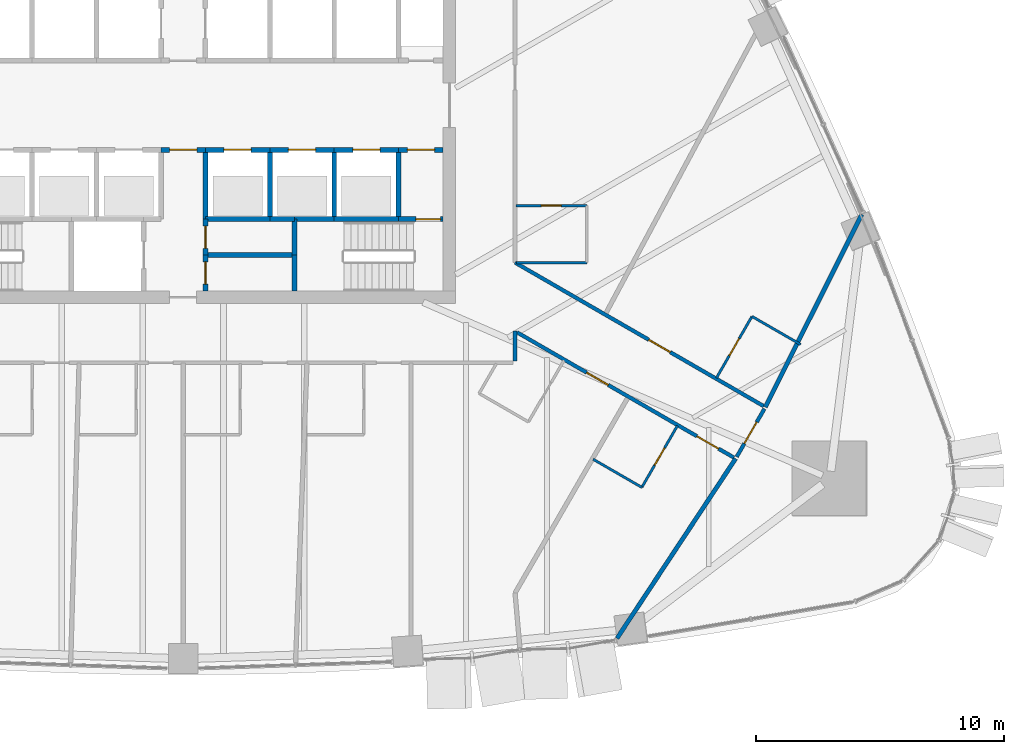
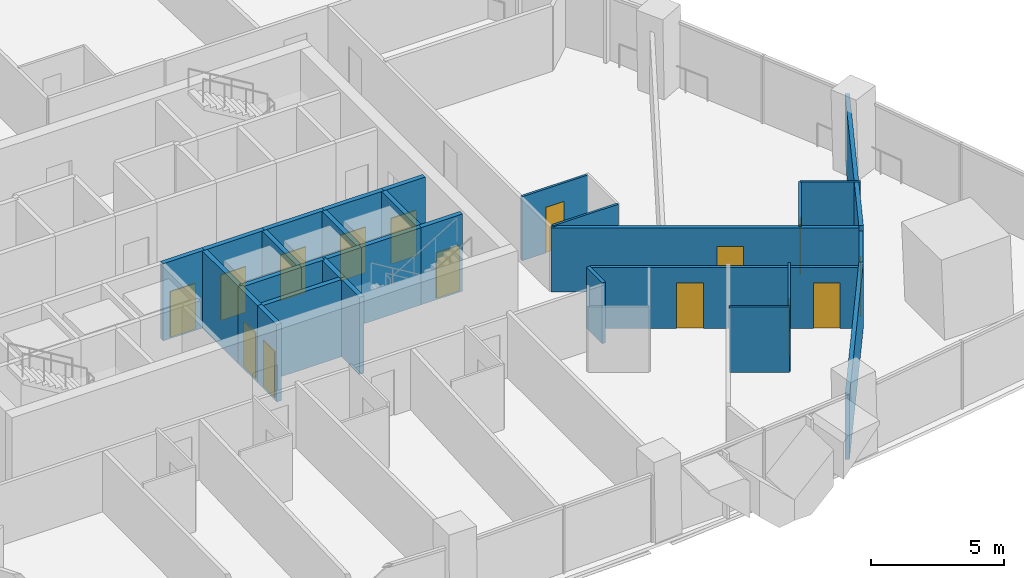
# One storey, part 12 of 18: 31 walls, 15 doors, 15 openings.
"""IFC4 building model written with IfcOpenShell, lengths in metres."""

from ifc_helpers import new_model, si_unit, direction, frame, frame_2d, origin, place, context, subcontext, project, spatial, rectangle, extrude, material, layer, layer_set, type_object, element, fill, save


model = new_model("IFC4")

# Units and contexts
model_context = context("Model", 3, precision=1e-05, world=origin(), true_north=direction((0.0, 1.0)))
body_context = subcontext(model_context, "Body", "Model", "MODEL_VIEW")
ifc_project = project(units=[si_unit("LENGTHUNIT", "METRE"), si_unit("AREAUNIT", "SQUARE_METRE"), si_unit("VOLUMEUNIT", "CUBIC_METRE"), si_unit("PLANEANGLEUNIT", "RADIAN"), si_unit("MASSUNIT", "GRAM", prefix="KILO")], contexts=[model_context])

# Site, building, storey
site_placement = place(None, origin())
site = spatial("IfcSite", under=ifc_project, at=site_placement, CompositionType="ELEMENT")
building_placement = place(site_placement, origin())
building = spatial("IfcBuilding", under=site, at=building_placement, Name="Sierra Prisma Convention Tower", CompositionType="ELEMENT")
storey_placement = place(building_placement, frame((0.0, 0.0, 85.0)))
storey = spatial("IfcBuildingStorey", under=building, at=storey_placement, Name="L17", CompositionType="ELEMENT", Elevation=85.0)

# Wall, opening, door
ifc_material_1 = material(Name="Gypsum board partition", Category="gypsum")
ifc_layer_1 = layer(ifc_material_1, 0.10009765625)
ifc_layer_set_1 = layer_set([ifc_layer_1], Name="Bathroom partition 100")
wall_type_1 = type_object("IfcWallType", Name="Bathroom partition 100", PredefinedType="PARTITIONING", material=ifc_layer_set_1)
wall_1_placement = place(storey_placement, frame((13.429931640625, -4.05078125, 0.0), z_axis=(0.0, 0.0, 1.0), x_axis=(1.0, 0.0, 0.0)))
wall_1 = element("IfcWall", 1, at=wall_1_placement, inside=storey, type_object=wall_type_1, Name="Partition L17 bath 24", PredefinedType="PARTITIONING", context=body_context, shape_type="SweptSolid", body=[
    extrude(rectangle(XDim=2.8701171875, YDim=0.10009765625, at=frame_2d((1.43505859375, 0.0))), origin(), (0.0, 0.0, 1.0), 2.947021484375),
])
opening_1_placement = place(wall_1_placement, frame((1.034912109375, 0.0, 0.0)))
opening_1 = element("IfcOpeningElement", 2, at=opening_1_placement, cuts=wall_1, Name="Opening L17-D001", PredefinedType="OPENING", context=body_context, shape_type="SweptSolid", body=[
    extrude(rectangle(XDim=0.800048828125, YDim=2.10009765625, at=frame_2d((0.39990234375, 1.050048828125))), frame((0.0, 0.050048828125, 0.0), z_axis=(0.0, -1.0, 0.0), x_axis=(1.0, 0.0, 0.0)), (0.0, 0.0, 1.0), 0.10009765625),
])
ifc_material_2 = material(Name="Solid core timber door leaf", Category="wood")
door_type_1 = type_object("IfcDoorType", Name="Door 800x2100 plain", OperationType="SINGLE_SWING_LEFT", PredefinedType="DOOR", material=ifc_material_2)
door_1_placement = place(opening_1_placement, origin())
door_1 = element("IfcDoor", 3, at=door_1_placement, inside=storey, type_object=door_type_1, Name="Door L17 2", OperationType="SINGLE_SWING_RIGHT", OverallHeight=2.10009765625, OverallWidth=0.800048828125, PredefinedType="DOOR", context=body_context, shape_type="SweptSolid", body=[
    extrude(rectangle(XDim=0.800048828125, YDim=2.10009765625, at=frame_2d((0.39990234375, 1.050048828125))), frame((0.0, 0.02490234375, 0.0), z_axis=(0.0, -1.0, 0.0), x_axis=(1.0, 0.0, 0.0)), (0.0, 0.0, 1.0), 0.050048828125),
])
fill(opening_1, door_1)

# Wall
wall_2_placement = place(storey_placement, frame((16.300048828125, -6.350830078125, 0.0), z_axis=(0.0, 0.0, 1.0), x_axis=(-1.0, 0.0, 0.0)))
element("IfcWall", 4, at=wall_2_placement, inside=storey, type_object=wall_type_1, Name="Partition L17 bath 26", PredefinedType="PARTITIONING", context=body_context, shape_type="SweptSolid", body=[
    extrude(rectangle(XDim=2.840087890625, YDim=0.10009765625, at=frame_2d((1.419921875, 0.0))), origin(), (0.0, 0.0, 1.0), 3.0),
])

# Wall, opening, door
wall_3_placement = place(storey_placement, frame((19.953125, -12.940185546875, 0.0), z_axis=(0.0, 0.0, 1.0), x_axis=(-0.499936001555, -0.866062350151, 0.0)))
wall_3 = element("IfcWall", 5, at=wall_3_placement, inside=storey, type_object=wall_type_1, Name="Partition L17 bath 27", PredefinedType="PARTITIONING", context=body_context, shape_type="SweptSolid", body=[
    extrude(rectangle(XDim=2.8701171875, YDim=0.10009765625, at=frame_2d((1.43505859375, 0.0))), origin(), (0.0, 0.0, 1.0), 3.0),
])
opening_2_placement = place(wall_3_placement, frame((1.034912109375, 0.0, 0.0)))
opening_2 = element("IfcOpeningElement", 6, at=opening_2_placement, cuts=wall_3, Name="Opening L17-D013", PredefinedType="OPENING", context=body_context, shape_type="SweptSolid", body=[
    extrude(rectangle(XDim=0.800048828125, YDim=2.10009765625, at=frame_2d((0.39990234375, 1.050048828125))), frame((0.0, 0.050048828125, 0.0), z_axis=(0.0, -1.0, 0.0), x_axis=(1.0, 0.0, 0.0)), (0.0, 0.0, 1.0), 0.10009765625),
])
door_2_placement = place(opening_2_placement, origin())
door_2 = element("IfcDoor", 7, at=door_2_placement, inside=storey, type_object=door_type_1, Name="Door L17 32", OperationType="SINGLE_SWING_RIGHT", OverallHeight=2.10009765625, OverallWidth=0.800048828125, PredefinedType="DOOR", context=body_context, shape_type="SweptSolid", body=[
    extrude(rectangle(XDim=0.800048828125, YDim=2.10009765625, at=frame_2d((0.39990234375, 1.050048828125))), frame((0.0, 0.02490234375, 0.0), z_axis=(0.0, -1.0, 0.0), x_axis=(1.0, 0.0, 0.0)), (0.0, 0.0, 1.0), 0.050048828125),
])
fill(opening_2, door_2)

# Wall
wall_4_placement = place(storey_placement, frame((18.518310546875, -15.42578125, 0.0), z_axis=(0.0, 0.0, 1.0), x_axis=(-0.866044110172, 0.499967598186, 0.0)))
element("IfcWall", 8, at=wall_4_placement, inside=storey, type_object=wall_type_1, Name="Partition L17 bath 28", PredefinedType="PARTITIONING", context=body_context, shape_type="SweptSolid", body=[
    extrude(rectangle(XDim=2.270263671875, YDim=0.10009765625, at=frame_2d((1.13525390625, 0.0))), origin(), (0.0, 0.0, 1.0), 3.0),
])

# Wall, opening, door
wall_5_placement = place(storey_placement, frame((21.529541015625, -11.009765625, 0.0), z_axis=(0.0, 0.0, 1.0), x_axis=(0.500036638401, 0.866004249561, 0.0)))
wall_5 = element("IfcWall", 9, at=wall_5_placement, inside=storey, type_object=wall_type_1, Name="Partition L17 bath 29", PredefinedType="PARTITIONING", context=body_context, shape_type="SweptSolid", body=[
    extrude(rectangle(XDim=2.869873046875, YDim=0.10009765625, at=frame_2d((1.43505859375, 0.0))), origin(), (0.0, 0.0, 1.0), 3.0),
])
opening_3_placement = place(wall_5_placement, frame((1.034912109375, 0.0, 0.0)))
opening_3 = element("IfcOpeningElement", 10, at=opening_3_placement, cuts=wall_5, Name="Opening L17-D014", PredefinedType="OPENING", context=body_context, shape_type="SweptSolid", body=[
    extrude(rectangle(XDim=0.800048828125, YDim=2.10009765625, at=frame_2d((0.39990234375, 1.050048828125))), frame((0.0, 0.050048828125, 0.0), z_axis=(0.0, -1.0, 0.0), x_axis=(1.0, 0.0, 0.0)), (0.0, 0.0, 1.0), 0.10009765625),
])
door_3_placement = place(opening_3_placement, origin())
door_3 = element("IfcDoor", 11, at=door_3_placement, inside=storey, type_object=door_type_1, Name="Door L17 35", OperationType="SINGLE_SWING_RIGHT", OverallHeight=2.10009765625, OverallWidth=0.800048828125, PredefinedType="DOOR", context=body_context, shape_type="SweptSolid", body=[
    extrude(rectangle(XDim=0.800048828125, YDim=2.10009765625, at=frame_2d((0.39990234375, 1.050048828125))), frame((0.0, 0.02490234375, 0.0), z_axis=(0.0, -1.0, 0.0), x_axis=(1.0, 0.0, 0.0)), (0.0, 0.0, 1.0), 0.050048828125),
])
fill(opening_3, door_3)

# Wall
wall_6_placement = place(storey_placement, frame((22.964599609375, -8.5244140625, 0.0), z_axis=(0.0, 0.0, 1.0), x_axis=(0.866063795608, -0.499933497514, 0.0)))
element("IfcWall", 12, at=wall_6_placement, inside=storey, type_object=wall_type_1, Name="Partition L17 bath 30", PredefinedType="PARTITIONING", context=body_context, shape_type="SweptSolid", body=[
    extrude(rectangle(XDim=2.269775390625, YDim=0.10009765625, at=frame_2d((1.134765625, 0.0))), origin(), (0.0, 0.0, 1.0), 3.0),
])

# Wall, opening, door
ifc_material_3 = material(Name="Concrete C30/37", Category="concrete")
ifc_layer_2 = layer(ifc_material_3, 0.199951171875)
ifc_layer_set_2 = layer_set([ifc_layer_2], Name="Core wall RC 200 C30/37")
wall_type_2 = type_object("IfcWallType", Name="Core wall RC 200 C30/37", PredefinedType="SOLIDWALL", material=ifc_layer_set_2)
wall_7_placement = place(storey_placement, frame((-0.89990234375, -1.800048828125, 0.0), z_axis=(0.0, 0.0, 1.0), x_axis=(1.0, 0.0, 0.0)))
wall_7 = element("IfcWall", 13, at=wall_7_placement, inside=storey, type_object=wall_type_2, Name="Core wall L17 32", PredefinedType="SOLIDWALL", context=body_context, shape_type="SweptSolid", body=[
    extrude(rectangle(XDim=1.7998046875, YDim=0.199951171875, at=frame_2d((0.89990234375, 0.0))), origin(), (0.0, 0.0, 1.0), 3.550048828125),
])
opening_4_placement = place(wall_7_placement, frame((0.35009765625, 0.0, 0.0)))
opening_4 = element("IfcOpeningElement", 14, at=opening_4_placement, cuts=wall_7, Name="Opening L17-D027", PredefinedType="OPENING", context=body_context, shape_type="SweptSolid", body=[
    extrude(rectangle(XDim=1.10009765625, YDim=2.10009765625, at=frame_2d((0.550048828125, 1.050048828125))), frame((0.0, 0.10009765625, 0.0), z_axis=(0.0, -1.0, 0.0), x_axis=(1.0, 0.0, 0.0)), (0.0, 0.0, 1.0), 0.199951171875),
])
ifc_material_4 = material(Name="Steel fire door leaf", Category="steel")
door_type_2 = type_object("IfcDoorType", Name="Door 1100x2100 FD30S", OperationType="SINGLE_SWING_LEFT", PredefinedType="DOOR", material=ifc_material_4)
door_4_placement = place(opening_4_placement, origin())
door_4 = element("IfcDoor", 15, at=door_4_placement, inside=storey, type_object=door_type_2, Name="Door L17 48", OperationType="SINGLE_SWING_RIGHT", OverallHeight=2.10009765625, OverallWidth=1.10009765625, PredefinedType="DOOR", context=body_context, shape_type="SweptSolid", body=[
    extrude(rectangle(XDim=1.10009765625, YDim=2.10009765625, at=frame_2d((0.550048828125, 1.050048828125))), frame((0.0, 0.02490234375, 0.0), z_axis=(0.0, -1.0, 0.0), x_axis=(1.0, 0.0, 0.0)), (0.0, 0.0, 1.0), 0.050048828125),
])
fill(opening_4, door_4)

wall_8_placement = place(storey_placement, frame((0.89990234375, -6.050048828125, 0.0), z_axis=(0.0, 0.0, 1.0), x_axis=(0.0, -1.0, 0.0)))
wall_8 = element("IfcWall", 16, at=wall_8_placement, inside=storey, type_object=wall_type_2, Name="Core wall L17 34", PredefinedType="SOLIDWALL", context=body_context, shape_type="SweptSolid", body=[
    extrude(rectangle(XDim=1.449951171875, YDim=0.199951171875, at=frame_2d((0.72509765625, 0.0))), origin(), (0.0, 0.0, 1.0), 3.550048828125),
])
opening_5_placement = place(wall_8_placement, frame((0.27490234375, 0.0, 0.0)))
opening_5 = element("IfcOpeningElement", 17, at=opening_5_placement, cuts=wall_8, Name="Opening L17-D034", PredefinedType="OPENING", context=body_context, shape_type="SweptSolid", body=[
    extrude(rectangle(XDim=0.89990234375, YDim=2.10009765625, at=frame_2d((0.449951171875, 1.050048828125))), frame((0.0, 0.10009765625, 0.0), z_axis=(0.0, -1.0, 0.0), x_axis=(1.0, 0.0, 0.0)), (0.0, 0.0, 1.0), 0.199951171875),
])
ifc_material_5 = material(Name="Steel fire door leaf", Category="steel")
door_type_3 = type_object("IfcDoorType", Name="Door 900x2100 FD30S", OperationType="SINGLE_SWING_LEFT", PredefinedType="DOOR", material=ifc_material_5)
door_5_placement = place(opening_5_placement, origin())
door_5 = element("IfcDoor", 18, at=door_5_placement, inside=storey, type_object=door_type_3, Name="Door L17 55", OperationType="SINGLE_SWING_LEFT", OverallHeight=2.10009765625, OverallWidth=0.89990234375, PredefinedType="DOOR", context=body_context, shape_type="SweptSolid", body=[
    extrude(rectangle(XDim=0.89990234375, YDim=2.10009765625, at=frame_2d((0.449951171875, 1.050048828125))), frame((0.0, 0.02490234375, 0.0), z_axis=(0.0, -1.0, 0.0), x_axis=(1.0, 0.0, 0.0)), (0.0, 0.0, 1.0), 0.050048828125),
])
fill(opening_5, door_5)

# Wall
wall_9_placement = place(storey_placement, frame((4.5, -6.050048828125, 0.0), z_axis=(0.0, 0.0, 1.0), x_axis=(-1.0, 0.0, 0.0)))
element("IfcWall", 19, at=wall_9_placement, inside=storey, type_object=wall_type_2, Name="Core wall L17 35", PredefinedType="SOLIDWALL", context=body_context, shape_type="SweptSolid", body=[
    extrude(rectangle(XDim=3.60009765625, YDim=0.199951171875, at=frame_2d((1.800048828125, 0.0))), origin(), (0.0, 0.0, 1.0), 3.550048828125),
])

# Wall, opening, door
wall_10_placement = place(storey_placement, frame((0.89990234375, -4.60009765625, 0.0), z_axis=(0.0, 0.0, 1.0), x_axis=(0.0, -1.0, 0.0)))
wall_10 = element("IfcWall", 20, at=wall_10_placement, inside=storey, type_object=wall_type_2, Name="Core wall L17 36", PredefinedType="SOLIDWALL", context=body_context, shape_type="SweptSolid", body=[
    extrude(rectangle(XDim=1.449951171875, YDim=0.199951171875, at=frame_2d((0.72509765625, 0.0))), origin(), (0.0, 0.0, 1.0), 3.550048828125),
])
opening_6_placement = place(wall_10_placement, frame((0.27490234375, 0.0, 0.0)))
opening_6 = element("IfcOpeningElement", 21, at=opening_6_placement, cuts=wall_10, Name="Opening L17-D035", PredefinedType="OPENING", context=body_context, shape_type="SweptSolid", body=[
    extrude(rectangle(XDim=0.89990234375, YDim=2.10009765625, at=frame_2d((0.449951171875, 1.050048828125))), frame((0.0, 0.10009765625, 0.0), z_axis=(0.0, -1.0, 0.0), x_axis=(1.0, 0.0, 0.0)), (0.0, 0.0, 1.0), 0.199951171875),
])
door_6_placement = place(opening_6_placement, origin())
door_6 = element("IfcDoor", 22, at=door_6_placement, inside=storey, type_object=door_type_3, Name="Door L17 56", OperationType="SINGLE_SWING_RIGHT", OverallHeight=2.10009765625, OverallWidth=0.89990234375, PredefinedType="DOOR", context=body_context, shape_type="SweptSolid", body=[
    extrude(rectangle(XDim=0.89990234375, YDim=2.10009765625, at=frame_2d((0.449951171875, 1.050048828125))), frame((0.0, 0.02490234375, 0.0), z_axis=(0.0, -1.0, 0.0), x_axis=(1.0, 0.0, 0.0)), (0.0, 0.0, 1.0), 0.050048828125),
])
fill(opening_6, door_6)

# Walls
wall_11_placement = place(storey_placement, frame((3.5, -4.60009765625, 0.0), z_axis=(0.0, 0.0, 1.0), x_axis=(-1.0, 0.0, 0.0)))
element("IfcWall", 23, at=wall_11_placement, inside=storey, type_object=wall_type_2, Name="Core wall L17 37", PredefinedType="SOLIDWALL", context=body_context, shape_type="SweptSolid", body=[
    extrude(rectangle(XDim=2.60009765625, YDim=0.199951171875, at=frame_2d((1.300048828125, 0.0))), origin(), (0.0, 0.0, 1.0), 3.550048828125),
])
wall_12_placement = place(storey_placement, frame((0.89990234375, -1.800048828125, 0.0), z_axis=(0.0, 0.0, 1.0), x_axis=(0.0, -1.0, 0.0)))
element("IfcWall", 24, at=wall_12_placement, inside=storey, type_object=wall_type_2, Name="Core wall L17 38", PredefinedType="SOLIDWALL", context=body_context, shape_type="SweptSolid", body=[
    extrude(rectangle(XDim=2.800048828125, YDim=0.199951171875, at=frame_2d((1.39990234375, 0.0))), origin(), (0.0, 0.0, 1.0), 3.550048828125),
])

# Wall, opening, door
wall_13_placement = place(storey_placement, frame((0.89990234375, -1.800048828125, 0.0), z_axis=(0.0, 0.0, 1.0), x_axis=(1.0, 0.0, 0.0)))
wall_13 = element("IfcWall", 25, at=wall_13_placement, inside=storey, type_object=wall_type_2, Name="Core wall L17 39", PredefinedType="SOLIDWALL", context=body_context, shape_type="SweptSolid", body=[
    extrude(rectangle(XDim=2.60009765625, YDim=0.199951171875, at=frame_2d((1.300048828125, 0.0))), origin(), (0.0, 0.0, 1.0), 3.550048828125),
])
opening_7_placement = place(wall_13_placement, frame((0.75, 0.0, 0.0)))
opening_7 = element("IfcOpeningElement", 26, at=opening_7_placement, cuts=wall_13, Name="Opening L17-D018", PredefinedType="OPENING", context=body_context, shape_type="SweptSolid", body=[
    extrude(rectangle(XDim=1.10009765625, YDim=2.10009765625, at=frame_2d((0.550048828125, 1.050048828125))), frame((0.0, 0.10009765625, 0.0), z_axis=(0.0, -1.0, 0.0), x_axis=(1.0, 0.0, 0.0)), (0.0, 0.0, 1.0), 0.199951171875),
])
ifc_material_6 = material(Name="Steel fire door leaf", Category="steel")
door_type_4 = type_object("IfcDoorType", Name="Door 1100x2100 EI 90 sliding lift landing", OperationType="SLIDING_TO_LEFT", PredefinedType="DOOR", material=ifc_material_6)
door_7_placement = place(opening_7_placement, origin())
door_7 = element("IfcDoor", 27, at=door_7_placement, inside=storey, type_object=door_type_4, Name="Door L17 39", OperationType="SLIDING_TO_RIGHT", OverallHeight=2.10009765625, OverallWidth=1.10009765625, PredefinedType="DOOR", context=body_context, shape_type="SweptSolid", body=[
    extrude(rectangle(XDim=1.10009765625, YDim=2.10009765625, at=frame_2d((0.550048828125, 1.050048828125))), frame((0.0, 0.02490234375, 0.0), z_axis=(0.0, -1.0, 0.0), x_axis=(1.0, 0.0, 0.0)), (0.0, 0.0, 1.0), 0.050048828125),
])
fill(opening_7, door_7)

# Walls
wall_14_placement = place(storey_placement, frame((4.5, -4.60009765625, 0.0), z_axis=(0.0, 0.0, 1.0), x_axis=(-1.0, 0.0, 0.0)))
element("IfcWall", 28, at=wall_14_placement, inside=storey, type_object=wall_type_2, Name="Core wall L17 44", PredefinedType="SOLIDWALL", context=body_context, shape_type="SweptSolid", body=[
    extrude(rectangle(XDim=1.0, YDim=0.199951171875, at=frame_2d((0.5, 0.0))), origin(), (0.0, 0.0, 1.0), 3.550048828125),
])
wall_15_placement = place(storey_placement, frame((3.5, -4.60009765625, 0.0), z_axis=(0.0, 0.0, 1.0), x_axis=(0.0, 1.0, 0.0)))
element("IfcWall", 29, at=wall_15_placement, inside=storey, type_object=wall_type_2, Name="Core wall L17 45", PredefinedType="SOLIDWALL", context=body_context, shape_type="SweptSolid", body=[
    extrude(rectangle(XDim=2.800048828125, YDim=0.199951171875, at=frame_2d((1.39990234375, 0.0))), origin(), (0.0, 0.0, 1.0), 3.550048828125),
])

# Wall, opening, door
wall_16_placement = place(storey_placement, frame((3.5, -1.800048828125, 0.0), z_axis=(0.0, 0.0, 1.0), x_axis=(1.0, 0.0, 0.0)))
wall_16 = element("IfcWall", 30, at=wall_16_placement, inside=storey, type_object=wall_type_2, Name="Core wall L17 46", PredefinedType="SOLIDWALL", context=body_context, shape_type="SweptSolid", body=[
    extrude(rectangle(XDim=2.60009765625, YDim=0.199951171875, at=frame_2d((1.300048828125, 0.0))), origin(), (0.0, 0.0, 1.0), 3.550048828125),
])
opening_8_placement = place(wall_16_placement, frame((0.75, 0.0, 0.0)))
opening_8 = element("IfcOpeningElement", 31, at=opening_8_placement, cuts=wall_16, Name="Opening L17-D019", PredefinedType="OPENING", context=body_context, shape_type="SweptSolid", body=[
    extrude(rectangle(XDim=1.10009765625, YDim=2.10009765625, at=frame_2d((0.550048828125, 1.050048828125))), frame((0.0, 0.10009765625, 0.0), z_axis=(0.0, -1.0, 0.0), x_axis=(1.0, 0.0, 0.0)), (0.0, 0.0, 1.0), 0.199951171875),
])
door_8_placement = place(opening_8_placement, origin())
door_8 = element("IfcDoor", 32, at=door_8_placement, inside=storey, type_object=door_type_4, Name="Door L17 40", OperationType="SLIDING_TO_LEFT", OverallHeight=2.10009765625, OverallWidth=1.10009765625, PredefinedType="DOOR", context=body_context, shape_type="SweptSolid", body=[
    extrude(rectangle(XDim=1.10009765625, YDim=2.10009765625, at=frame_2d((0.550048828125, 1.050048828125))), frame((0.0, 0.02490234375, 0.0), z_axis=(0.0, -1.0, 0.0), x_axis=(1.0, 0.0, 0.0)), (0.0, 0.0, 1.0), 0.050048828125),
])
fill(opening_8, door_8)

# Walls
for number, where, z_axis, x_axis, name in (
    (33, (4.5, -7.5, 0.0), (0.0, 0.0, 1.0), (0.0, 1.0, 0.0), "Core wall L17 52"),
    (34, (4.5, -6.050048828125, 0.0), (0.0, 0.0, 1.0), (0.0, 1.0, 0.0), "Core wall L17 53"),
):
    element("IfcWall", number, at=place(storey_placement, frame(where, z_axis=z_axis, x_axis=x_axis)), inside=storey, type_object=wall_type_2, Name=name, PredefinedType="SOLIDWALL", context=body_context, shape_type="SweptSolid", body=[
        extrude(rectangle(XDim=1.449951171875, YDim=0.199951171875, at=frame_2d((0.72509765625, 0.0))), origin(), (0.0, 0.0, 1.0), 3.550048828125),
    ])
wall_17_placement = place(storey_placement, frame((4.5, -4.60009765625, 0.0), z_axis=(0.0, 0.0, 1.0), x_axis=(1.0, 0.0, 0.0)))
element("IfcWall", 35, at=wall_17_placement, inside=storey, type_object=wall_type_2, Name="Core wall L17 54", PredefinedType="SOLIDWALL", context=body_context, shape_type="SweptSolid", body=[
    extrude(rectangle(XDim=1.60009765625, YDim=0.199951171875, at=frame_2d((0.800048828125, 0.0))), origin(), (0.0, 0.0, 1.0), 3.550048828125),
])
wall_18_placement = place(storey_placement, frame((6.10009765625, -4.60009765625, 0.0), z_axis=(0.0, 0.0, 1.0), x_axis=(1.0, 0.0, 0.0)))
element("IfcWall", 36, at=wall_18_placement, inside=storey, type_object=wall_type_2, Name="Core wall L17 55", PredefinedType="SOLIDWALL", context=body_context, shape_type="SweptSolid", body=[
    extrude(rectangle(XDim=2.599853515625, YDim=0.199951171875, at=frame_2d((1.2998046875, 0.0))), origin(), (0.0, 0.0, 1.0), 3.550048828125),
])
wall_19_placement = place(storey_placement, frame((6.10009765625, -4.60009765625, 0.0), z_axis=(0.0, 0.0, 1.0), x_axis=(0.0, 1.0, 0.0)))
element("IfcWall", 37, at=wall_19_placement, inside=storey, type_object=wall_type_2, Name="Core wall L17 56", PredefinedType="SOLIDWALL", context=body_context, shape_type="SweptSolid", body=[
    extrude(rectangle(XDim=2.800048828125, YDim=0.199951171875, at=frame_2d((1.39990234375, 0.0))), origin(), (0.0, 0.0, 1.0), 3.550048828125),
])

# Wall, opening, door
wall_20_placement = place(storey_placement, frame((6.10009765625, -1.800048828125, 0.0), z_axis=(0.0, 0.0, 1.0), x_axis=(1.0, 0.0, 0.0)))
wall_20 = element("IfcWall", 38, at=wall_20_placement, inside=storey, type_object=wall_type_2, Name="Core wall L17 57", PredefinedType="SOLIDWALL", context=body_context, shape_type="SweptSolid", body=[
    extrude(rectangle(XDim=2.599853515625, YDim=0.199951171875, at=frame_2d((1.2998046875, 0.0))), origin(), (0.0, 0.0, 1.0), 3.550048828125),
])
opening_9_placement = place(wall_20_placement, frame((0.75, 0.0, 0.0)))
opening_9 = element("IfcOpeningElement", 39, at=opening_9_placement, cuts=wall_20, Name="Opening L17-D020", PredefinedType="OPENING", context=body_context, shape_type="SweptSolid", body=[
    extrude(rectangle(XDim=1.10009765625, YDim=2.10009765625, at=frame_2d((0.550048828125, 1.050048828125))), frame((0.0, 0.10009765625, 0.0), z_axis=(0.0, -1.0, 0.0), x_axis=(1.0, 0.0, 0.0)), (0.0, 0.0, 1.0), 0.199951171875),
])
door_9_placement = place(opening_9_placement, origin())
door_9 = element("IfcDoor", 40, at=door_9_placement, inside=storey, type_object=door_type_4, Name="Door L17 41", OperationType="SLIDING_TO_RIGHT", OverallHeight=2.10009765625, OverallWidth=1.10009765625, PredefinedType="DOOR", context=body_context, shape_type="SweptSolid", body=[
    extrude(rectangle(XDim=1.10009765625, YDim=2.10009765625, at=frame_2d((0.550048828125, 1.050048828125))), frame((0.0, 0.02490234375, 0.0), z_axis=(0.0, -1.0, 0.0), x_axis=(1.0, 0.0, 0.0)), (0.0, 0.0, 1.0), 0.050048828125),
])
fill(opening_9, door_9)

wall_21_placement = place(storey_placement, frame((8.699951171875, -4.60009765625, 0.0), z_axis=(0.0, 0.0, 1.0), x_axis=(1.0, 0.0, 0.0)))
wall_21 = element("IfcWall", 41, at=wall_21_placement, inside=storey, type_object=wall_type_2, Name="Core wall L17 61", PredefinedType="SOLIDWALL", context=body_context, shape_type="SweptSolid", body=[
    extrude(rectangle(XDim=1.800048828125, YDim=0.199951171875, at=frame_2d((0.89990234375, 0.0))), origin(), (0.0, 0.0, 1.0), 3.550048828125),
])
opening_10_placement = place(wall_21_placement, frame((0.699951171875, 0.0, 0.0)))
opening_10 = element("IfcOpeningElement", 42, at=opening_10_placement, cuts=wall_21, Name="Opening L17-D031", PredefinedType="OPENING", context=body_context, shape_type="SweptSolid", body=[
    extrude(rectangle(XDim=1.0, YDim=2.10009765625, at=frame_2d((0.5, 1.050048828125))), frame((0.0, 0.10009765625, 0.0), z_axis=(0.0, -1.0, 0.0), x_axis=(1.0, 0.0, 0.0)), (0.0, 0.0, 1.0), 0.199951171875),
])
ifc_material_7 = material(Name="Steel fire door leaf", Category="steel")
door_type_5 = type_object("IfcDoorType", Name="Door 1000x2100 FD90S", OperationType="SINGLE_SWING_LEFT", PredefinedType="DOOR", material=ifc_material_7)
door_10_placement = place(opening_10_placement, origin())
door_10 = element("IfcDoor", 43, at=door_10_placement, inside=storey, type_object=door_type_5, Name="Door L17 52", OperationType="SINGLE_SWING_RIGHT", OverallHeight=2.10009765625, OverallWidth=1.0, PredefinedType="DOOR", context=body_context, shape_type="SweptSolid", body=[
    extrude(rectangle(XDim=1.0, YDim=2.10009765625, at=frame_2d((0.5, 1.050048828125))), frame((0.0, 0.02490234375, 0.0), z_axis=(0.0, -1.0, 0.0), x_axis=(1.0, 0.0, 0.0)), (0.0, 0.0, 1.0), 0.050048828125),
])
fill(opening_10, door_10)

# Wall
wall_22_placement = place(storey_placement, frame((8.699951171875, -1.800048828125, 0.0), z_axis=(0.0, 0.0, 1.0), x_axis=(0.0, -1.0, 0.0)))
element("IfcWall", 44, at=wall_22_placement, inside=storey, type_object=wall_type_2, Name="Core wall L17 62", PredefinedType="SOLIDWALL", context=body_context, shape_type="SweptSolid", body=[
    extrude(rectangle(XDim=2.800048828125, YDim=0.199951171875, at=frame_2d((1.39990234375, 0.0))), origin(), (0.0, 0.0, 1.0), 3.550048828125),
])

# Wall, opening, door
wall_23_placement = place(storey_placement, frame((8.699951171875, -1.800048828125, 0.0), z_axis=(0.0, 0.0, 1.0), x_axis=(1.0, 0.0, 0.0)))
wall_23 = element("IfcWall", 45, at=wall_23_placement, inside=storey, type_object=wall_type_2, Name="Core wall L17 63", PredefinedType="SOLIDWALL", context=body_context, shape_type="SweptSolid", body=[
    extrude(rectangle(XDim=1.800048828125, YDim=0.199951171875, at=frame_2d((0.89990234375, 0.0))), origin(), (0.0, 0.0, 1.0), 3.550048828125),
])
opening_11_placement = place(wall_23_placement, frame((0.35009765625, 0.0, 0.0)))
opening_11 = element("IfcOpeningElement", 46, at=opening_11_placement, cuts=wall_23, Name="Opening L17-D025", PredefinedType="OPENING", context=body_context, shape_type="SweptSolid", body=[
    extrude(rectangle(XDim=1.10009765625, YDim=2.10009765625, at=frame_2d((0.550048828125, 1.050048828125))), frame((0.0, 0.10009765625, 0.0), z_axis=(0.0, -1.0, 0.0), x_axis=(1.0, 0.0, 0.0)), (0.0, 0.0, 1.0), 0.199951171875),
])
ifc_material_8 = material(Name="Steel fire door leaf", Category="steel")
door_type_6 = type_object("IfcDoorType", Name="Door 1100x2100 FD90S", OperationType="SINGLE_SWING_LEFT", PredefinedType="DOOR", material=ifc_material_8)
door_11_placement = place(opening_11_placement, origin())
door_11 = element("IfcDoor", 47, at=door_11_placement, inside=storey, type_object=door_type_6, Name="Door L17 46", OperationType="SINGLE_SWING_LEFT", OverallHeight=2.10009765625, OverallWidth=1.10009765625, PredefinedType="DOOR", context=body_context, shape_type="SweptSolid", body=[
    extrude(rectangle(XDim=1.10009765625, YDim=2.10009765625, at=frame_2d((0.550048828125, 1.050048828125))), frame((0.0, 0.02490234375, 0.0), z_axis=(0.0, -1.0, 0.0), x_axis=(1.0, 0.0, 0.0)), (0.0, 0.0, 1.0), 0.050048828125),
])
fill(opening_11, door_11)

# Wall
ifc_material_9 = material(Name="Gypsum board partition", Category="gypsum")
ifc_layer_3 = layer(ifc_material_9, 0.14990234375)
ifc_layer_set_3 = layer_set([ifc_layer_3], Name="Corridor wall 150 gypsum EI 60")
wall_type_3 = type_object("IfcWallType", Name="Corridor wall 150 gypsum EI 60", PredefinedType="PARTITIONING", material=ifc_layer_set_3)
wall_24_placement = place(storey_placement, frame((13.39990234375, -10.320068359375, 0.0), z_axis=(0.0, 0.0, 1.0), x_axis=(0.0, 1.0, 0.0)))
element("IfcWall", 48, at=wall_24_placement, inside=storey, type_object=wall_type_3, Name="Partition L17 corr 14", PredefinedType="PARTITIONING", context=body_context, shape_type="SweptSolid", body=[
    extrude(rectangle(XDim=1.197998046875, YDim=0.14990234375, at=frame_2d((0.59912109375, 0.0))), origin(), (0.0, 0.0, 1.0), 2.797119140625),
])

# Wall, openings, doors
wall_25_placement = place(storey_placement, frame((13.479248046875, -9.16796875, 0.0), z_axis=(0.0, 0.0, 1.0), x_axis=(0.866022360211, -0.500005271586, 0.0)))
wall_25 = element("IfcWall", 49, at=wall_25_placement, inside=storey, type_object=wall_type_3, Name="Partition L17 corr 15", PredefinedType="PARTITIONING", context=body_context, shape_type="SweptSolid", body=[
    extrude(rectangle(XDim=10.11279296875, YDim=0.14990234375, at=frame_2d((5.056396484375, 0.0))), origin(), (0.0, 0.0, 1.0), 2.797119140625),
])
opening_12_placement = place(wall_25_placement, frame((3.25048828125, 0.0, 0.0)))
opening_12 = element("IfcOpeningElement", 50, at=opening_12_placement, cuts=wall_25, Name="Opening L17-D053", PredefinedType="OPENING", context=body_context, shape_type="SweptSolid", body=[
    extrude(rectangle(XDim=1.0, YDim=2.10009765625, at=frame_2d((0.5, 1.050048828125))), frame((0.0, 0.074951171875, 0.0), z_axis=(0.0, -1.0, 0.0), x_axis=(1.0, 0.0, 0.0)), (0.0, 0.0, 1.0), 0.14990234375),
])
opening_13_placement = place(wall_25_placement, frame((8.392578125, 0.0, 0.0)))
opening_13 = element("IfcOpeningElement", 51, at=opening_13_placement, cuts=wall_25, Name="Opening L17-D054", PredefinedType="OPENING", context=body_context, shape_type="SweptSolid", body=[
    extrude(rectangle(XDim=1.0, YDim=2.10009765625, at=frame_2d((0.5, 1.050048828125))), frame((0.0, 0.074951171875, 0.0), z_axis=(0.0, -1.0, 0.0), x_axis=(1.0, 0.0, 0.0)), (0.0, 0.0, 1.0), 0.14990234375),
])
ifc_material_10 = material(Name="Steel fire door leaf", Category="steel")
door_type_7 = type_object("IfcDoorType", Name="Door 1000x2100 FD30S", OperationType="SINGLE_SWING_LEFT", PredefinedType="DOOR", material=ifc_material_10)
door_12_placement = place(opening_12_placement, origin())
door_12 = element("IfcDoor", 52, at=door_12_placement, inside=storey, type_object=door_type_7, Name="Door L17 29", OperationType="SINGLE_SWING_LEFT", OverallHeight=2.10009765625, OverallWidth=1.0, PredefinedType="DOOR", context=body_context, shape_type="SweptSolid", body=[
    extrude(rectangle(XDim=1.0, YDim=2.10009765625, at=frame_2d((0.5, 1.050048828125))), frame((0.0, 0.02490234375, 0.0), z_axis=(0.0, -1.0, 0.0), x_axis=(1.0, 0.0, 0.0)), (0.0, 0.0, 1.0), 0.050048828125),
])
fill(opening_12, door_12)
door_13_placement = place(opening_13_placement, origin())
door_13 = element("IfcDoor", 53, at=door_13_placement, inside=storey, type_object=door_type_7, Name="Door L17 31", OperationType="SINGLE_SWING_LEFT", OverallHeight=2.10009765625, OverallWidth=1.0, PredefinedType="DOOR", context=body_context, shape_type="SweptSolid", body=[
    extrude(rectangle(XDim=1.0, YDim=2.10009765625, at=frame_2d((0.5, 1.050048828125))), frame((0.0, 0.02490234375, 0.0), z_axis=(0.0, -1.0, 0.0), x_axis=(1.0, 0.0, 0.0)), (0.0, 0.0, 1.0), 0.050048828125),
])
fill(opening_13, door_13)

# Wall, opening, door
wall_26_placement = place(storey_placement, frame((23.43701171875, -12.145751953125, 0.0), z_axis=(0.0, 0.0, 1.0), x_axis=(-0.866025625133, 0.499999616612, 0.0)))
wall_26 = element("IfcWall", 54, at=wall_26_placement, inside=storey, type_object=wall_type_3, Name="Partition L17 corr 16", PredefinedType="PARTITIONING", context=body_context, shape_type="SweptSolid", body=[
    extrude(rectangle(XDim=11.58984375, YDim=0.14990234375, at=frame_2d((5.794921875, 0.0))), origin(), (0.0, 0.0, 1.0), 2.947021484375),
])
opening_14_placement = place(wall_26_placement, frame((4.35498046875, 0.0, 0.0)))
opening_14 = element("IfcOpeningElement", 55, at=opening_14_placement, cuts=wall_26, Name="Opening L17-D056", PredefinedType="OPENING", context=body_context, shape_type="SweptSolid", body=[
    extrude(rectangle(XDim=1.0, YDim=2.10009765625, at=frame_2d((0.5, 1.050048828125))), frame((0.0, 0.074951171875, 0.0), z_axis=(0.0, -1.0, 0.0), x_axis=(1.0, 0.0, 0.0)), (0.0, 0.0, 1.0), 0.14990234375),
])
door_14_placement = place(opening_14_placement, origin())
door_14 = element("IfcDoor", 56, at=door_14_placement, inside=storey, type_object=door_type_7, Name="Door L17 34", OperationType="SINGLE_SWING_LEFT", OverallHeight=2.10009765625, OverallWidth=1.0, PredefinedType="DOOR", context=body_context, shape_type="SweptSolid", body=[
    extrude(rectangle(XDim=1.0, YDim=2.10009765625, at=frame_2d((0.5, 1.050048828125))), frame((0.0, 0.02490234375, 0.0), z_axis=(0.0, -1.0, 0.0), x_axis=(1.0, 0.0, 0.0)), (0.0, 0.0, 1.0), 0.050048828125),
])
fill(opening_14, door_14)

wall_27_placement = place(storey_placement, frame((22.346435546875, -14.195068359375, 0.0), z_axis=(0.0, 0.0, 1.0), x_axis=(0.49994888933, 0.866054910533, 0.0)))
wall_27 = element("IfcWall", 57, at=wall_27_placement, inside=storey, type_object=wall_type_3, Name="Partition L17 corr 18", PredefinedType="PARTITIONING", context=body_context, shape_type="SweptSolid", body=[
    extrude(rectangle(XDim=2.239990234375, YDim=0.14990234375, at=frame_2d((1.1201171875, 0.0))), origin(), (0.0, 0.0, 1.0), 2.797119140625),
])
opening_15_placement = place(wall_27_placement, frame((0.6201171875, 0.0, 0.0)))
opening_15 = element("IfcOpeningElement", 58, at=opening_15_placement, cuts=wall_27, Name="Opening L17-D055", PredefinedType="OPENING", context=body_context, shape_type="SweptSolid", body=[
    extrude(rectangle(XDim=1.0, YDim=2.10009765625, at=frame_2d((0.5, 1.050048828125))), frame((0.0, 0.074951171875, 0.0), z_axis=(0.0, -1.0, 0.0), x_axis=(1.0, 0.0, 0.0)), (0.0, 0.0, 1.0), 0.14990234375),
])
door_15_placement = place(opening_15_placement, origin())
door_15 = element("IfcDoor", 59, at=door_15_placement, inside=storey, type_object=door_type_7, Name="Door L17 33", OperationType="SINGLE_SWING_LEFT", OverallHeight=2.10009765625, OverallWidth=1.0, PredefinedType="DOOR", context=body_context, shape_type="SweptSolid", body=[
    extrude(rectangle(XDim=1.0, YDim=2.10009765625, at=frame_2d((0.5, 1.050048828125))), frame((0.0, 0.02490234375, 0.0), z_axis=(0.0, -1.0, 0.0), x_axis=(1.0, 0.0, 0.0)), (0.0, 0.0, 1.0), 0.050048828125),
])
fill(opening_15, door_15)

# Walls
ifc_material_11 = material(Name="Acoustic gypsum board partition", Category="gypsum")
ifc_layer_4 = layer(ifc_material_11, 0.175048828125)
ifc_layer_set_4 = layer_set([ifc_layer_4], Name="Guest room party wall 175 acoustic EI 60")
wall_type_4 = type_object("IfcWallType", Name="Guest room party wall 175 acoustic EI 60", PredefinedType="PARTITIONING", material=ifc_layer_set_4)
for number, where, z_axis, x_axis, name in (
    (60, (22.306396484375, -14.264404296875, 0.0), (0.0, 0.0, 1.0), (-0.5509763379, -0.834520865571, 0.0), "Partition L17 hparty 24"),
    (61, (27.396240234375, -4.406982421875, 0.0), (0.0, 0.0, 1.0), (-0.447258508864, -0.894404732908, 0.0), "Partition L17 hparty 25"),
):
    element("IfcWall", number, at=place(storey_placement, frame(where, z_axis=z_axis, x_axis=x_axis)), inside=storey, type_object=wall_type_4, Name=name, PredefinedType="PARTITIONING", context=body_context, shape_type="SweptSolid", body=[
        extrude(rectangle(XDim=8.697265625, YDim=0.175048828125, at=frame_2d((4.3486328125, 0.0))), origin(), (0.0, 0.0, 1.0), 3.0),
    ])

save(model, "model.ifc")
